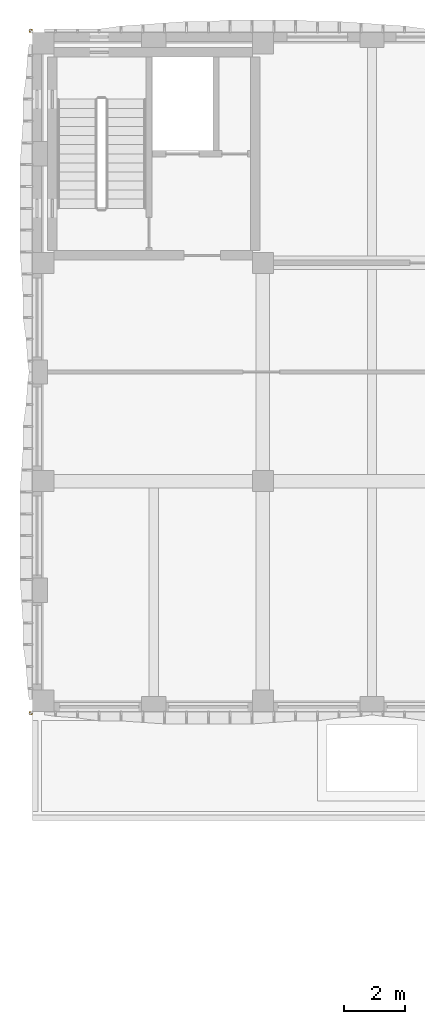
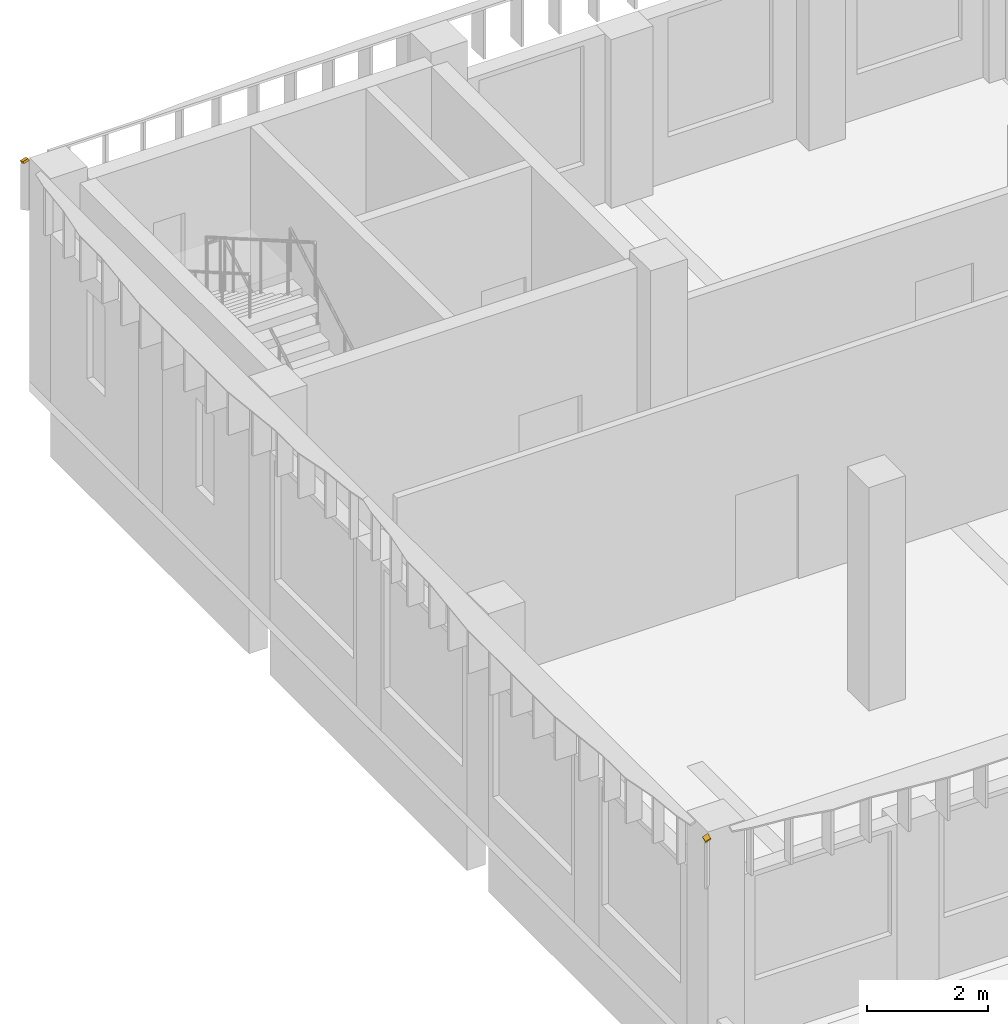
# One storey, part 59 of 59: 2 shading devices.
"""IFC4 building model written with IfcOpenShell, lengths in metres."""

import ifcopenshell
import ifcopenshell.guid

model = None  # the IFC model being written
_history = None  # IfcOwnerHistory: only IFC2X3 demands one
_inside = {}  # id of a spatial element -> (the spatial element, [elements in it])
_under = {}  # id of a project, library or spatial element -> (it, [spatial elements below it])
_declared = {}  # id of a project -> (the project, [libraries it declares])
_typed = {}  # id of a type object -> (the type object, [elements of that type])
_made_of = {}  # id of a material, layer set ... -> (it, [elements and type objects made of it])


def new_model(schema):
    """Start an empty IFC model of exactly this schema.

    Asked for "IFC4X3", IfcOpenShell would pick the latest addendum, in which some entities
    have other attributes; the version numbers below select the first issue.
    IFC2X3 requires an IfcOwnerHistory on every rooted entity: one is made here for all.
    """
    global model, _history
    if schema == "IFC4X3":
        model = ifcopenshell.file(schema_version=(4, 3, 0, 0))
    else:
        model = ifcopenshell.file(schema=schema)
    _inside.clear()
    _under.clear()
    _declared.clear()
    _typed.clear()
    _made_of.clear()
    _history = None
    if model.schema == "IFC2X3":
        org = make("IfcOrganization", Name="unknown")
        user = make(
            "IfcPersonAndOrganization",
            ThePerson=make("IfcPerson", FamilyName="unknown"),
            TheOrganization=org,
        )
        app = make(
            "IfcApplication",
            ApplicationDeveloper=org,
            Version="unknown",
            ApplicationFullName="unknown",
            ApplicationIdentifier="unknown",
        )
        _history = make(
            "IfcOwnerHistory",
            OwningUser=user,
            OwningApplication=app,
            ChangeAction="ADDED",
            CreationDate=0,
        )
    return model


def make(cls, **values):
    """One entity of the class cls with the attributes given. An attribute that is None is left unset."""
    return model.create_entity(
        cls, **{name: value for name, value in values.items() if value is not None}
    )


def rooted(cls, **values):
    """An entity with a GlobalId (a new one), such as an element, a storey or a relation."""
    return make(cls, GlobalId=ifcopenshell.guid.new(), OwnerHistory=_history, **values)


def si_unit(unit_type, name, prefix=None):
    """IfcSIUnit, for example si_unit("LENGTHUNIT", "METRE", prefix="MILLI")."""
    return make("IfcSIUnit", UnitType=unit_type, Prefix=prefix, Name=name)


def assignment(units):
    """IfcUnitAssignment: the units of a project."""
    return None if units is None else make("IfcUnitAssignment", Units=units)


def point(xyz):
    """IfcCartesianPoint."""
    return None if xyz is None else make("IfcCartesianPoint", Coordinates=xyz)


def direction(xyz):
    """IfcDirection."""
    return None if xyz is None else make("IfcDirection", DirectionRatios=xyz)


def frame(location, z_axis=None, x_axis=None):
    """IfcAxis2Placement3D, a coordinate frame: its origin and axes. An axis left out is left unset."""
    return make(
        "IfcAxis2Placement3D",
        Location=point(location),
        Axis=direction(z_axis),
        RefDirection=direction(x_axis),
    )


def origin():
    """The frame at (0, 0, 0) with its axes left unset."""
    return frame((0.0, 0.0, 0.0))


def place(relative_to, where):
    """IfcLocalPlacement: puts the frame where relative to a parent placement (None: the world)."""
    return make(
        "IfcLocalPlacement", PlacementRelTo=relative_to, RelativePlacement=where
    )


def context(
    kind, dimensions, precision=None, world=None, true_north=None, identifier=None
):
    """IfcGeometricRepresentationContext, for example the 3D "Model" context."""
    return make(
        "IfcGeometricRepresentationContext",
        ContextIdentifier=identifier,
        ContextType=kind,
        CoordinateSpaceDimension=dimensions,
        Precision=precision,
        WorldCoordinateSystem=world,
        TrueNorth=true_north,
    )


def subcontext(parent, identifier, kind, view, scale=None):
    """IfcGeometricRepresentationSubContext, for example "Body" below "Model"."""
    return make(
        "IfcGeometricRepresentationSubContext",
        ContextIdentifier=identifier,
        ContextType=kind,
        ParentContext=parent,
        TargetScale=scale,
        TargetView=view,
    )


def project(units=None, contexts=None):
    """IfcProject with its units and contexts."""
    return rooted(
        "IfcProject",
        Name="project",
        RepresentationContexts=contexts,
        UnitsInContext=assignment(units),
    )


def spatial(cls, under=None, at=None, **own):
    """A site, building, storey or space (cls), placed at a placement, below another one or the project."""
    s = rooted(cls, ObjectPlacement=at, **own)
    if under is not None:
        _under.setdefault(under.id(), (under, []))[1].append(s)
    return s


def polyline(points):
    """IfcPolyline through the points."""
    return make("IfcPolyline", Points=[point(p) for p in points])


def outline(outer, holes=None, kind="AREA"):
    """IfcArbitraryClosedProfileDef: a profile drawn as a closed curve; with holes, ...WithVoids."""
    if holes is None:
        return make("IfcArbitraryClosedProfileDef", ProfileType=kind, OuterCurve=outer)
    return make(
        "IfcArbitraryProfileDefWithVoids",
        ProfileType=kind,
        OuterCurve=outer,
        InnerCurves=holes,
    )


def extrude(swept, where, along, depth):
    """IfcExtrudedAreaSolid: the profile swept, set in the frame where, extruded along a direction by depth."""
    return make(
        "IfcExtrudedAreaSolid",
        SweptArea=swept,
        Position=where,
        ExtrudedDirection=direction(along),
        Depth=depth,
    )


def shape(context_of_items, identifier, shape_type, items):
    """IfcShapeRepresentation: the items that make up one representation, for example the "Body"."""
    return make(
        "IfcShapeRepresentation",
        ContextOfItems=context_of_items,
        RepresentationIdentifier=identifier,
        RepresentationType=shape_type,
        Items=items,
    )


def material(Name=None, Category=None):
    """IfcMaterial."""
    return make("IfcMaterial", Name=Name, Category=Category)


def layer(
    of_material, thickness, ventilated=None, Name=None, Category=None, Priority=None
):
    """IfcMaterialLayer: one layer of a wall or slab, of a material (None: an air gap)."""
    return make(
        "IfcMaterialLayer",
        Material=of_material,
        LayerThickness=thickness,
        IsVentilated=ventilated,
        Name=Name,
        Category=Category,
        Priority=Priority,
    )


def layer_set(layers, Name=None):
    """IfcMaterialLayerSet."""
    return make("IfcMaterialLayerSet", MaterialLayers=layers, LayerSetName=Name)


def made_of(thing, what):
    """Note that an element or type object is made of a material, layer set ...; save() writes the relation."""
    if what is not None:
        _made_of.setdefault(what.id(), (what, []))[1].append(thing)
    return thing


def type_object(cls, material=None, **own):
    """A type object (cls), such as IfcWallType, which elements share."""
    return made_of(rooted(cls, **own), material)


def element(
    cls,
    number,
    at=None,
    inside=None,
    cuts=None,
    type_object=None,
    material=None,
    context=None,
    identifier="Body",
    shape_type=None,
    held_by="IfcProductDefinitionShape",
    body=None,
    shapes=None,
    **own,
):
    """One element of the class cls, such as IfcWall. Its Tag is "e" and its number.

    at: its placement. inside: the storey or other place that contains it. cuts: it is an
    opening in that element (IfcRelVoidsElement). A single representation is given by context,
    identifier, shape_type and body (its items); several are given by shapes. held_by: the class
    of the entity that holds the representations. save() writes the other relations.
    """
    e = rooted(cls, Tag="e%d" % number, ObjectPlacement=at, **own)
    if body is not None:
        shapes = [shape(context, identifier, shape_type, body)]
    if shapes is not None:
        e.Representation = make(held_by, Representations=shapes)
    if inside is not None:
        _inside.setdefault(inside.id(), (inside, []))[1].append(e)
    if cuts is not None:
        rooted(
            "IfcRelVoidsElement", RelatingBuildingElement=cuts, RelatedOpeningElement=e
        )
    if type_object is not None:
        _typed.setdefault(type_object.id(), (type_object, []))[1].append(e)
    return made_of(e, material)


def aggregate(whole, parts):
    """IfcRelAggregates: a whole, such as a stair, and the parts it consists of."""
    return rooted("IfcRelAggregates", RelatingObject=whole, RelatedObjects=parts)


def save(model, path):
    """Write the relations noted so far, then the file.

    IfcRelAggregates (storeys below a building ...), IfcRelContainedInSpatialStructure (elements
    in a storey), IfcRelDefinesByType, IfcRelAssociatesMaterial and IfcRelDeclares: one each for
    every whole, place, type object, material and project.
    """
    for whole, parts in _under.values():
        aggregate(whole, parts)
    for where, things in _inside.values():
        rooted(
            "IfcRelContainedInSpatialStructure",
            RelatedElements=things,
            RelatingStructure=where,
        )
    for kind, things in _typed.values():
        rooted("IfcRelDefinesByType", RelatedObjects=things, RelatingType=kind)
    for what, things in _made_of.values():
        rooted("IfcRelAssociatesMaterial", RelatedObjects=things, RelatingMaterial=what)
    for by, libraries in _declared.values():
        rooted("IfcRelDeclares", RelatingContext=by, RelatedDefinitions=libraries)
    model.write(path)


model = new_model("IFC4")

# Units and contexts
model_context = context("Model", 3, precision=1e-05, world=origin(), true_north=direction((0.0, 1.0)))
body_context = subcontext(model_context, "Body", "Model", "MODEL_VIEW")
ifc_project = project(units=[si_unit("LENGTHUNIT", "METRE"), si_unit("AREAUNIT", "SQUARE_METRE"), si_unit("VOLUMEUNIT", "CUBIC_METRE"), si_unit("PLANEANGLEUNIT", "RADIAN"), si_unit("MASSUNIT", "GRAM", prefix="KILO")], contexts=[model_context])

# Site, building, storey
site_placement = place(None, origin())
site = spatial("IfcSite", under=ifc_project, at=site_placement, CompositionType="ELEMENT")
building_placement = place(site_placement, origin())
building = spatial("IfcBuilding", under=site, at=building_placement, Name="Ussher Court Research Institute", CompositionType="ELEMENT")
storey_placement = place(building_placement, frame((0.0, 0.0, 5.39990234375)))
storey = spatial("IfcBuildingStorey", under=building, at=storey_placement, Name="L01", CompositionType="ELEMENT", Elevation=5.39990234375)

# Shading devices
ifc_material = material(Name="Bronze anodised aluminium", Category="aluminium")
ifc_layer = layer(ifc_material, 0.0400390625)
ifc_layer_set = layer_set([ifc_layer], Name="Bronze anodised aluminium")
shading_device_type = type_object("IfcShadingDeviceType", Name="Brim visor sheet 40 mm canted 20 deg dry", PredefinedType="USERDEFINED", material=ifc_layer_set)
shading_device_1_placement = place(storey_placement, frame((2.587158203125, 68.38720703125, 4.485595703125), z_axis=(-0.323224861095, -0.323224861095, 0.889410691604), x_axis=(-0.939860335167, 0.0, -0.341558999853)))
element("IfcShadingDevice", 1, at=shading_device_1_placement, inside=storey, type_object=shading_device_type, Name="Brim visor sheet BR2 L01", ObjectType="BRIM", PredefinedType="USERDEFINED", context=body_context, shape_type="SweptSolid", body=[
    extrude(outline(polyline([(0.0, 0.0), (0.10650269247958763, -1.734723475976807e-18), (0.11892756820666907, 0.10577545068950636), (0.01242487572708144, 0.10577545068950638), (0.0, 0.0)])), origin(), (0.0, 0.0, -1.0), 0.0400390625),
])
shading_device_2_placement = place(storey_placement, frame((2.587158203125, 90.81298828125, 4.485595703125), z_axis=(-0.323142227815, 0.323932306611, 0.889183311436), x_axis=(0.0, 0.939592038002, -0.342296365922)))
element("IfcShadingDevice", 2, at=shading_device_2_placement, inside=storey, type_object=shading_device_type, Name="Brim visor sheet BR2 L01", ObjectType="BRIM", PredefinedType="USERDEFINED", context=body_context, shape_type="SweptSolid", body=[
    extrude(outline(polyline([(0.0, 0.0), (0.10627326710575227, 0.0), (0.11872496596376943, 0.10577229647195369), (0.012451698858017153, 0.10577229647195369), (0.0, 0.0)])), origin(), (0.0, 0.0, -1.0), 0.0400390625),
])

save(model, "model.ifc")
